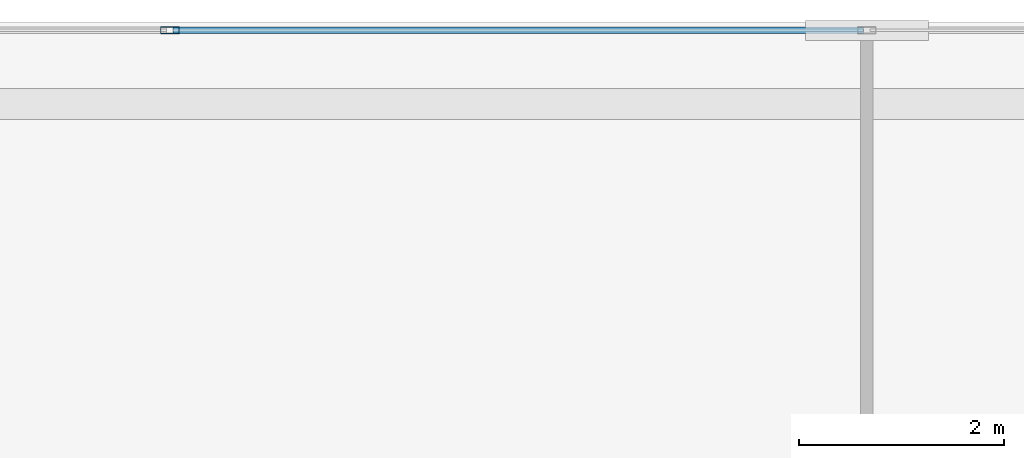
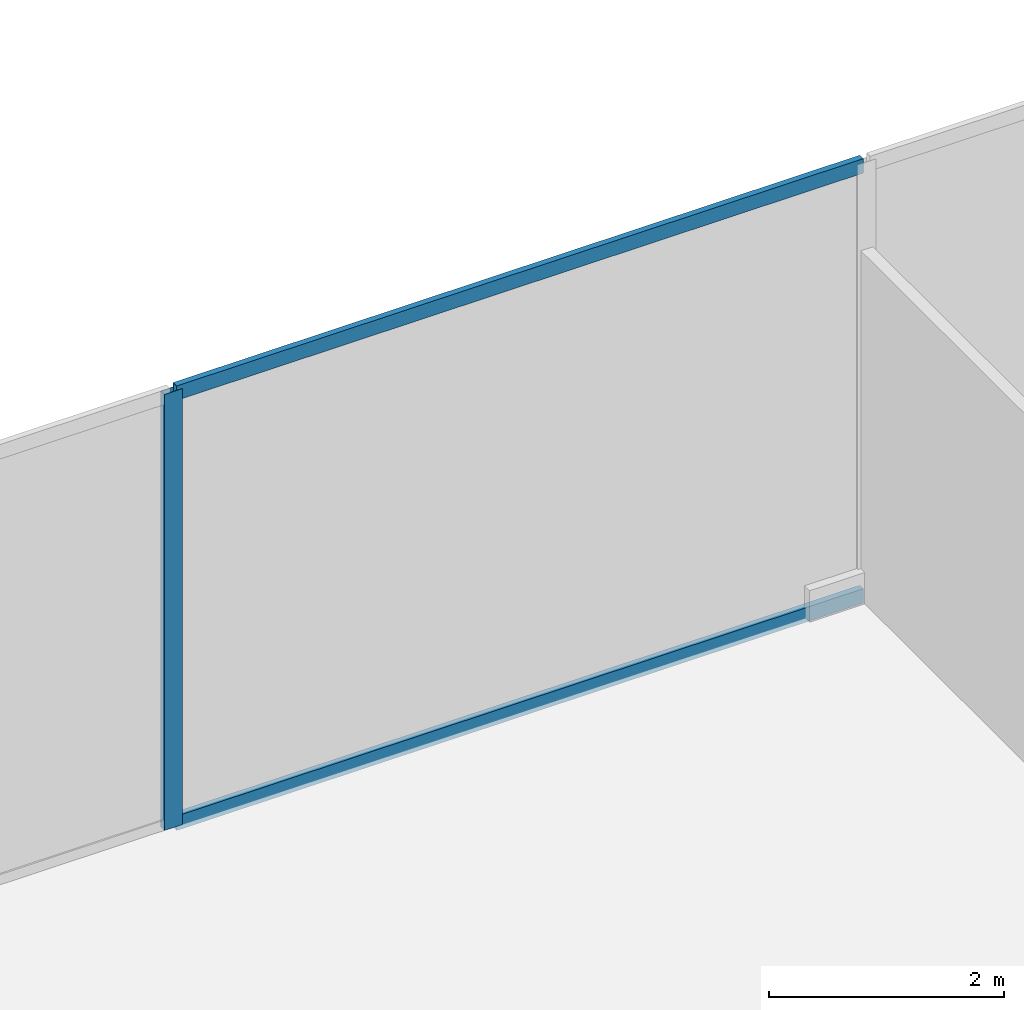
# One storey, part 22 of 40: 3 members, 1 element without a shape of its own.
"""IFC4 building model written with IfcOpenShell, lengths in metres."""

from ifc_helpers import new_model, si_unit, direction, frame, origin, origin_2d, place, context, subcontext, project, spatial, hollow_rectangle, extrude, source, transform, mapped, material, layer, layer_set, material_profile, profile_set, type_object, element, aggregate, save


model = new_model("IFC4")

# Units and contexts
model_context = context("Model", 3, precision=1e-05, world=origin(), true_north=direction((0.0, 1.0)))
body_context = subcontext(model_context, "Body", "Model", "MODEL_VIEW")
ifc_project = project(units=[si_unit("LENGTHUNIT", "METRE"), si_unit("AREAUNIT", "SQUARE_METRE"), si_unit("VOLUMEUNIT", "CUBIC_METRE"), si_unit("PLANEANGLEUNIT", "RADIAN"), si_unit("MASSUNIT", "GRAM", prefix="KILO"), si_unit("THERMODYNAMICTEMPERATUREUNIT", "KELVIN"), si_unit("POWERUNIT", "WATT")], contexts=[model_context])

# Site, building, storey
site_placement = place(None, origin())
site = spatial("IfcSite", under=ifc_project, at=site_placement, CompositionType="ELEMENT")
building_placement = place(site_placement, origin())
building = spatial("IfcBuilding", under=site, at=building_placement, Name="Yunzhuo Pagoda Commons", CompositionType="ELEMENT")
storey_placement = place(building_placement, frame((0.0, 0.0, 14.39990234375)))
storey = spatial("IfcBuildingStorey", under=building, at=storey_placement, Name="L04", CompositionType="ELEMENT", Elevation=14.39990234375)

# Curtain wall, members
ifc_material = material(Name="Anodized aluminium 6063-T6", Category="aluminium")
ifc_layer = layer(ifc_material, 0.179931640625)
ifc_layer_set = layer_set([ifc_layer], Name="Anodized aluminium 6063-T6")
curtain_wall_type = type_object("IfcCurtainWallType", Name="CW-POD Waterfront Podium Curtain Wall", PredefinedType="NOTDEFINED", material=ifc_layer_set)
curtain_wall_placement = place(storey_placement, origin())
curtain_wall = element("IfcCurtainWall", 1, at=curtain_wall_placement, inside=storey, type_object=curtain_wall_type, Name="L04 curtain wall CW-L04-N3", PredefinedType="NOTDEFINED")
ifc_material_profile_1 = material_profile(ifc_material, hollow_rectangle(XDim=0.06494140625, YDim=0.179931640625, WallThickness=0.00390625, at=origin_2d()), Name="Anodized aluminium 6063-T6")
ifc_profile_set_1 = profile_set([ifc_material_profile_1], Name="Anodized aluminium 6063-T6")
member_type_1 = type_object("IfcMemberType", Name="CW-POD-M Mullion RHS 180x65x4", PredefinedType="MULLION", material=ifc_profile_set_1)
shared_shape_1 = source(origin(), body_context, "Body", "SweptSolid", [
    extrude(hollow_rectangle(XDim=0.06494140625, YDim=0.179931640625, WallThickness=0.00390625, at=origin_2d()), origin(), (0.0, 0.0, 1.0), 4.52001953125),
])
member_1_placement = place(storey_placement, frame((41.199951171875, 81.919921875, 0.0), z_axis=(0.0, 0.0, 1.0), x_axis=(0.0, 1.0, 0.0)))
member_1 = element("IfcMember", 2, at=member_1_placement, type_object=member_type_1, Name="CW mullion 2", PredefinedType="MULLION", context=body_context, shape_type="MappedRepresentation", body=[
    mapped(shared_shape_1, transform((0.0, 0.0, 0.0), scale=1.0)),
])
ifc_material_profile_2 = material_profile(ifc_material, hollow_rectangle(XDim=0.06005859375, YDim=0.14990234375, WallThickness=0.00390625, at=origin_2d()), Name="Anodized aluminium 6063-T6")
ifc_profile_set_2 = profile_set([ifc_material_profile_2], Name="Anodized aluminium 6063-T6")
member_type_2 = type_object("IfcMemberType", Name="CW-POD-T Transom RHS 150x60x4", PredefinedType="USERDEFINED", material=ifc_profile_set_2)
shared_shape_2 = source(origin(), body_context, "Body", "SweptSolid", [
    extrude(hollow_rectangle(XDim=0.06005859375, YDim=0.14990234375, WallThickness=0.00390625, at=origin_2d()), origin(), (0.0, 0.0, 1.0), 6.735107421875),
])
member_2_placement = place(storey_placement, frame((41.232421875, 81.919921875, 0.030029296875), z_axis=(1.0, 0.0, 0.0), x_axis=(0.0, 1.0, 0.0)))
member_2 = element("IfcMember", 3, at=member_2_placement, type_object=member_type_2, Name="CW transom 2.1", ObjectType="TRANSOM", PredefinedType="USERDEFINED", context=body_context, shape_type="MappedRepresentation", body=[
    mapped(shared_shape_2, transform((0.0, 0.0, 0.0), scale=1.0)),
])
member_3_placement = place(storey_placement, frame((41.232421875, 81.919921875, 4.489990234375), z_axis=(1.0, 0.0, 0.0), x_axis=(0.0, 1.0, 0.0)))
member_3 = element("IfcMember", 4, at=member_3_placement, type_object=member_type_2, Name="CW transom 2.2", ObjectType="TRANSOM", PredefinedType="USERDEFINED", context=body_context, shape_type="MappedRepresentation", body=[
    mapped(shared_shape_2, transform((0.0, 0.0, 0.0), scale=1.0)),
])
aggregate(curtain_wall, [member_1, member_2, member_3])

save(model, "model.ifc")
